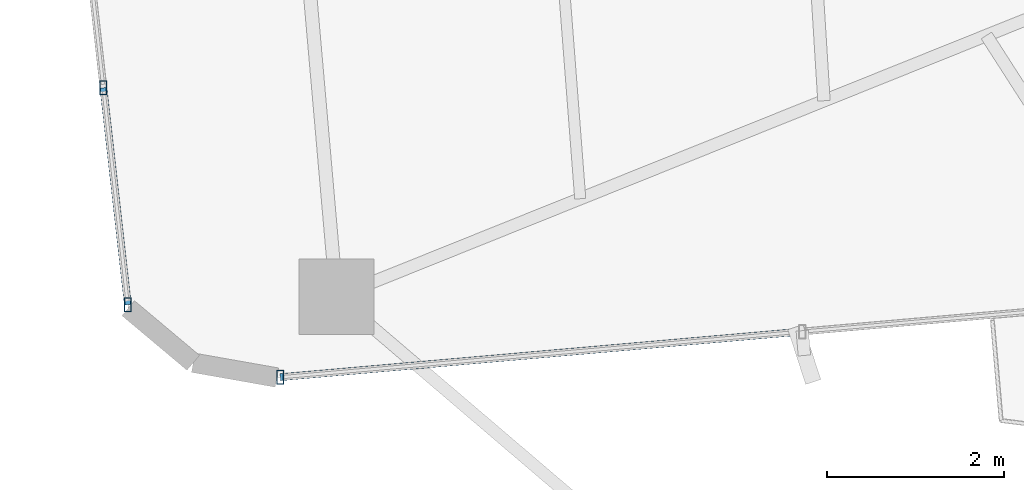
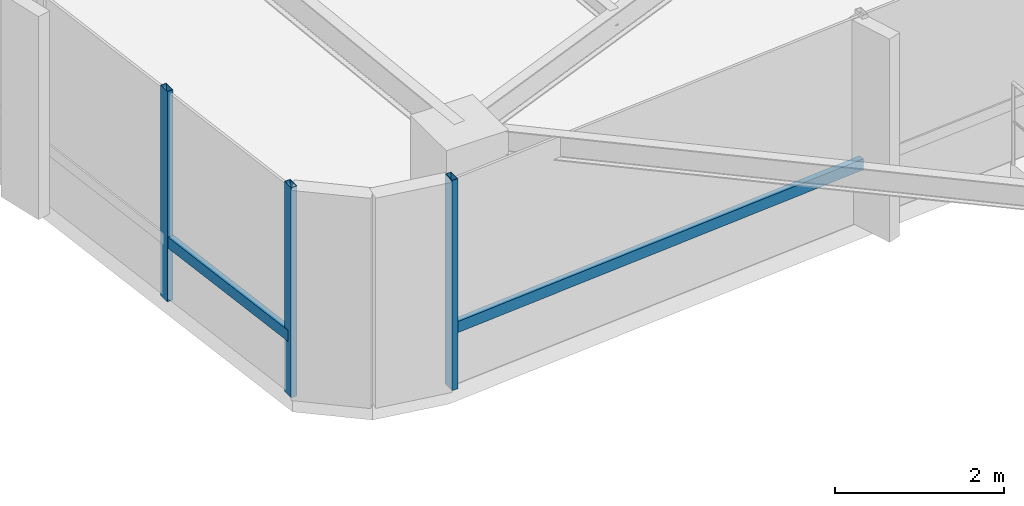
# One storey, part 3 of 24: 5 members, 2 elements without a shape of their own.
"""IFC4 building model written with IfcOpenShell, lengths in metres."""

import ifcopenshell
import ifcopenshell.guid

model = None  # the IFC model being written
_history = None  # IfcOwnerHistory: only IFC2X3 demands one
_inside = {}  # id of a spatial element -> (the spatial element, [elements in it])
_under = {}  # id of a project, library or spatial element -> (it, [spatial elements below it])
_declared = {}  # id of a project -> (the project, [libraries it declares])
_typed = {}  # id of a type object -> (the type object, [elements of that type])
_made_of = {}  # id of a material, layer set ... -> (it, [elements and type objects made of it])


def new_model(schema):
    """Start an empty IFC model of exactly this schema.

    Asked for "IFC4X3", IfcOpenShell would pick the latest addendum, in which some entities
    have other attributes; the version numbers below select the first issue.
    IFC2X3 requires an IfcOwnerHistory on every rooted entity: one is made here for all.
    """
    global model, _history
    if schema == "IFC4X3":
        model = ifcopenshell.file(schema_version=(4, 3, 0, 0))
    else:
        model = ifcopenshell.file(schema=schema)
    _inside.clear()
    _under.clear()
    _declared.clear()
    _typed.clear()
    _made_of.clear()
    _history = None
    if model.schema == "IFC2X3":
        org = make("IfcOrganization", Name="unknown")
        user = make(
            "IfcPersonAndOrganization",
            ThePerson=make("IfcPerson", FamilyName="unknown"),
            TheOrganization=org,
        )
        app = make(
            "IfcApplication",
            ApplicationDeveloper=org,
            Version="unknown",
            ApplicationFullName="unknown",
            ApplicationIdentifier="unknown",
        )
        _history = make(
            "IfcOwnerHistory",
            OwningUser=user,
            OwningApplication=app,
            ChangeAction="ADDED",
            CreationDate=0,
        )
    return model


def make(cls, **values):
    """One entity of the class cls with the attributes given. An attribute that is None is left unset."""
    return model.create_entity(
        cls, **{name: value for name, value in values.items() if value is not None}
    )


def rooted(cls, **values):
    """An entity with a GlobalId (a new one), such as an element, a storey or a relation."""
    return make(cls, GlobalId=ifcopenshell.guid.new(), OwnerHistory=_history, **values)


def si_unit(unit_type, name, prefix=None):
    """IfcSIUnit, for example si_unit("LENGTHUNIT", "METRE", prefix="MILLI")."""
    return make("IfcSIUnit", UnitType=unit_type, Prefix=prefix, Name=name)


def assignment(units):
    """IfcUnitAssignment: the units of a project."""
    return None if units is None else make("IfcUnitAssignment", Units=units)


def point(xyz):
    """IfcCartesianPoint."""
    return None if xyz is None else make("IfcCartesianPoint", Coordinates=xyz)


def direction(xyz):
    """IfcDirection."""
    return None if xyz is None else make("IfcDirection", DirectionRatios=xyz)


def frame(location, z_axis=None, x_axis=None):
    """IfcAxis2Placement3D, a coordinate frame: its origin and axes. An axis left out is left unset."""
    return make(
        "IfcAxis2Placement3D",
        Location=point(location),
        Axis=direction(z_axis),
        RefDirection=direction(x_axis),
    )


def frame_2d(location, x_axis=None):
    """IfcAxis2Placement2D, a coordinate frame in the plane: its origin and x axis."""
    return make(
        "IfcAxis2Placement2D", Location=point(location), RefDirection=direction(x_axis)
    )


def origin():
    """The frame at (0, 0, 0) with its axes left unset."""
    return frame((0.0, 0.0, 0.0))


def origin_2d():
    """The frame at (0, 0) in the plane with its x axis left unset."""
    return frame_2d((0.0, 0.0))


def place(relative_to, where):
    """IfcLocalPlacement: puts the frame where relative to a parent placement (None: the world)."""
    return make(
        "IfcLocalPlacement", PlacementRelTo=relative_to, RelativePlacement=where
    )


def context(
    kind, dimensions, precision=None, world=None, true_north=None, identifier=None
):
    """IfcGeometricRepresentationContext, for example the 3D "Model" context."""
    return make(
        "IfcGeometricRepresentationContext",
        ContextIdentifier=identifier,
        ContextType=kind,
        CoordinateSpaceDimension=dimensions,
        Precision=precision,
        WorldCoordinateSystem=world,
        TrueNorth=true_north,
    )


def subcontext(parent, identifier, kind, view, scale=None):
    """IfcGeometricRepresentationSubContext, for example "Body" below "Model"."""
    return make(
        "IfcGeometricRepresentationSubContext",
        ContextIdentifier=identifier,
        ContextType=kind,
        ParentContext=parent,
        TargetScale=scale,
        TargetView=view,
    )


def project(units=None, contexts=None):
    """IfcProject with its units and contexts."""
    return rooted(
        "IfcProject",
        Name="project",
        RepresentationContexts=contexts,
        UnitsInContext=assignment(units),
    )


def spatial(cls, under=None, at=None, **own):
    """A site, building, storey or space (cls), placed at a placement, below another one or the project."""
    s = rooted(cls, ObjectPlacement=at, **own)
    if under is not None:
        _under.setdefault(under.id(), (under, []))[1].append(s)
    return s


def profile(cls, at=None, kind="AREA", **sizes):
    """A parametric profile (cls). Its sizes go by their IFC names, for example OverallWidth=200.0."""
    return make(cls, ProfileType=kind, Position=at, **sizes)


def hollow_rectangle(**sizes):
    """IfcRectangleHollowProfileDef."""
    return profile("IfcRectangleHollowProfileDef", **sizes)


def extrude(swept, where, along, depth):
    """IfcExtrudedAreaSolid: the profile swept, set in the frame where, extruded along a direction by depth."""
    return make(
        "IfcExtrudedAreaSolid",
        SweptArea=swept,
        Position=where,
        ExtrudedDirection=direction(along),
        Depth=depth,
    )


def shape(context_of_items, identifier, shape_type, items):
    """IfcShapeRepresentation: the items that make up one representation, for example the "Body"."""
    return make(
        "IfcShapeRepresentation",
        ContextOfItems=context_of_items,
        RepresentationIdentifier=identifier,
        RepresentationType=shape_type,
        Items=items,
    )


def source(mapping_origin, context_of_items, identifier, shape_type, items):
    """IfcRepresentationMap: a shape defined once, which mapped items show again and again."""
    return make(
        "IfcRepresentationMap",
        MappingOrigin=mapping_origin,
        MappedRepresentation=shape(context_of_items, identifier, shape_type, items),
    )


def transform(
    local_origin,
    x_axis=None,
    y_axis=None,
    z_axis=None,
    scale=None,
    scale2=None,
    scale3=None,
    uniform=True,
):
    """IfcCartesianTransformationOperator3D, or its non-uniform kind. x_axis, y_axis, z_axis: its Axis1, 2, 3."""
    if uniform:
        return make(
            "IfcCartesianTransformationOperator3D",
            Axis1=direction(x_axis),
            Axis2=direction(y_axis),
            LocalOrigin=point(local_origin),
            Scale=scale,
            Axis3=direction(z_axis),
        )
    return make(
        "IfcCartesianTransformationOperator3DnonUniform",
        Axis1=direction(x_axis),
        Axis2=direction(y_axis),
        LocalOrigin=point(local_origin),
        Scale=scale,
        Axis3=direction(z_axis),
        Scale2=scale2,
        Scale3=scale3,
    )


def mapped(mapping_source, mapping_target):
    """IfcMappedItem: shows the shape of a source again, moved by a transform."""
    return make(
        "IfcMappedItem", MappingSource=mapping_source, MappingTarget=mapping_target
    )


def material(Name=None, Category=None):
    """IfcMaterial."""
    return make("IfcMaterial", Name=Name, Category=Category)


def material_profile(
    of_material, cross_section, Name=None, Category=None, Priority=None
):
    """IfcMaterialProfile: a cross section and its material."""
    return make(
        "IfcMaterialProfile",
        Name=Name,
        Material=of_material,
        Profile=cross_section,
        Priority=Priority,
        Category=Category,
    )


def profile_set(profiles, Name=None, composite=None):
    """IfcMaterialProfileSet."""
    return make(
        "IfcMaterialProfileSet",
        Name=Name,
        MaterialProfiles=profiles,
        CompositeProfile=composite,
    )


def made_of(thing, what):
    """Note that an element or type object is made of a material, layer set ...; save() writes the relation."""
    if what is not None:
        _made_of.setdefault(what.id(), (what, []))[1].append(thing)
    return thing


def type_object(cls, material=None, **own):
    """A type object (cls), such as IfcWallType, which elements share."""
    return made_of(rooted(cls, **own), material)


def element(
    cls,
    number,
    at=None,
    inside=None,
    cuts=None,
    type_object=None,
    material=None,
    context=None,
    identifier="Body",
    shape_type=None,
    held_by="IfcProductDefinitionShape",
    body=None,
    shapes=None,
    **own,
):
    """One element of the class cls, such as IfcWall. Its Tag is "e" and its number.

    at: its placement. inside: the storey or other place that contains it. cuts: it is an
    opening in that element (IfcRelVoidsElement). A single representation is given by context,
    identifier, shape_type and body (its items); several are given by shapes. held_by: the class
    of the entity that holds the representations. save() writes the other relations.
    """
    e = rooted(cls, Tag="e%d" % number, ObjectPlacement=at, **own)
    if body is not None:
        shapes = [shape(context, identifier, shape_type, body)]
    if shapes is not None:
        e.Representation = make(held_by, Representations=shapes)
    if inside is not None:
        _inside.setdefault(inside.id(), (inside, []))[1].append(e)
    if cuts is not None:
        rooted(
            "IfcRelVoidsElement", RelatingBuildingElement=cuts, RelatedOpeningElement=e
        )
    if type_object is not None:
        _typed.setdefault(type_object.id(), (type_object, []))[1].append(e)
    return made_of(e, material)


def aggregate(whole, parts):
    """IfcRelAggregates: a whole, such as a stair, and the parts it consists of."""
    return rooted("IfcRelAggregates", RelatingObject=whole, RelatedObjects=parts)


def save(model, path):
    """Write the relations noted so far, then the file.

    IfcRelAggregates (storeys below a building ...), IfcRelContainedInSpatialStructure (elements
    in a storey), IfcRelDefinesByType, IfcRelAssociatesMaterial and IfcRelDeclares: one each for
    every whole, place, type object, material and project.
    """
    for whole, parts in _under.values():
        aggregate(whole, parts)
    for where, things in _inside.values():
        rooted(
            "IfcRelContainedInSpatialStructure",
            RelatedElements=things,
            RelatingStructure=where,
        )
    for kind, things in _typed.values():
        rooted("IfcRelDefinesByType", RelatedObjects=things, RelatingType=kind)
    for what, things in _made_of.values():
        rooted("IfcRelAssociatesMaterial", RelatedObjects=things, RelatingMaterial=what)
    for by, libraries in _declared.values():
        rooted("IfcRelDeclares", RelatingContext=by, RelatedDefinitions=libraries)
    model.write(path)


model = new_model("IFC4")

# Units and contexts
model_context = context("Model", 3, precision=1e-05, world=origin(), true_north=direction((0.0, 1.0)))
body_context = subcontext(model_context, "Body", "Model", "MODEL_VIEW")
ifc_project = project(units=[si_unit("LENGTHUNIT", "METRE"), si_unit("AREAUNIT", "SQUARE_METRE"), si_unit("VOLUMEUNIT", "CUBIC_METRE"), si_unit("PLANEANGLEUNIT", "RADIAN"), si_unit("MASSUNIT", "GRAM", prefix="KILO")], contexts=[model_context])

# Site, building, storey
site_placement = place(None, origin())
site = spatial("IfcSite", under=ifc_project, at=site_placement, CompositionType="ELEMENT")
building_placement = place(site_placement, origin())
building = spatial("IfcBuilding", under=site, at=building_placement, Name="Sahyath Konkavel Grand Hotel", CompositionType="ELEMENT")
storey_placement = place(building_placement, frame((0.0, 0.0, 198.64990234375)))
storey = spatial("IfcBuildingStorey", under=building, at=storey_placement, Name="L55", CompositionType="ELEMENT", Elevation=198.64990234375)

# Curtain wall, members
ifc_material_1 = material(Name="Anodised Bronze Aluminium & Low-E Glazing", Category="aluminium")
curtain_wall_type = type_object("IfcCurtainWallType", Name="CW-ZONE3", PredefinedType="NOTDEFINED", material=ifc_material_1)
curtain_wall_1_placement = place(storey_placement, origin())
curtain_wall_1 = element("IfcCurtainWall", 1, at=curtain_wall_1_placement, inside=storey, type_object=curtain_wall_type, Name="L55 Unitised Curtain Wall F20", PredefinedType="NOTDEFINED")
ifc_material_2 = material(Name="Anodised Bronze Aluminium", Category="aluminium")
ifc_material_profile_1 = material_profile(ifc_material_2, hollow_rectangle(XDim=0.080078125, YDim=0.159912109375, WallThickness=0.006103515625, at=origin_2d()), Name="RHS 160x80x6")
ifc_profile_set_1 = profile_set([ifc_material_profile_1], Name="Anodised Bronze Aluminium")
member_type_1 = type_object("IfcMemberType", Name="CW-MUL-160", PredefinedType="MULLION", material=ifc_profile_set_1)
shared_shape_1 = source(origin(), body_context, "Body", "SweptSolid", [
    extrude(hollow_rectangle(XDim=0.080078125, YDim=0.159912109375, WallThickness=0.006103515625, at=origin_2d()), origin(), (0.0, 0.0, 1.0), 3.030029296875),
])
member_1_placement = place(storey_placement, frame((-19.583984375, -4.648193359375, 0.0), z_axis=(0.0, 0.0, 1.0), x_axis=(1.0, 0.0, 0.0)))
member_1 = element("IfcMember", 2, at=member_1_placement, type_object=member_type_1, Name="L55 Curtain Wall Mullion F20-3", PredefinedType="MULLION", context=body_context, shape_type="MappedRepresentation", body=[
    mapped(shared_shape_1, transform((0.0, 0.0, 0.0), scale=1.0)),
])
member_2_placement = place(storey_placement, frame((-19.308349609375, -7.094970703125, 0.0), z_axis=(0.0, 0.0, 1.0), x_axis=(1.0, 0.0, 0.0)))
member_2 = element("IfcMember", 3, at=member_2_placement, type_object=member_type_1, Name="L55 Curtain Wall Mullion F20-4", PredefinedType="MULLION", context=body_context, shape_type="MappedRepresentation", body=[
    mapped(shared_shape_1, transform((0.0, 0.0, 0.0), scale=1.0)),
])

# Curtain wall, member
curtain_wall_2_placement = place(storey_placement, origin())
curtain_wall_2 = element("IfcCurtainWall", 4, at=curtain_wall_2_placement, inside=storey, type_object=curtain_wall_type, Name="L55 Unitised Curtain Wall F23", PredefinedType="NOTDEFINED")
member_3_placement = place(storey_placement, frame((-17.58740234375, -7.912841796875, 0.0), z_axis=(0.0, 0.0, 1.0), x_axis=(1.0, 0.0, 0.0)))
member_3 = element("IfcMember", 5, at=member_3_placement, type_object=member_type_1, Name="L55 Curtain Wall Mullion F23-0", PredefinedType="MULLION", context=body_context, shape_type="MappedRepresentation", body=[
    mapped(shared_shape_1, transform((0.0, 0.0, 0.0), scale=1.0)),
])

# Member
ifc_material_profile_2 = material_profile(ifc_material_2, hollow_rectangle(XDim=0.080078125, YDim=0.159912109375, WallThickness=0.006103515625, at=origin_2d()), Name="RHS 160x80x6")
ifc_profile_set_2 = profile_set([ifc_material_profile_2], Name="Anodised Bronze Aluminium")
member_type_2 = type_object("IfcMemberType", Name="CW-TRN-160", PredefinedType="USERDEFINED", material=ifc_profile_set_2)
shared_shape_2 = source(origin(), body_context, "Body", "SweptSolid", [
    extrude(hollow_rectangle(XDim=0.080078125, YDim=0.159912109375, WallThickness=0.006103515625, at=origin_2d()), origin(), (0.0, 0.0, 1.0), 2.462158203125),
])
member_4_placement = place(storey_placement, frame((-19.583984375, -4.648193359375, 0.85009765625), z_axis=(0.11194409079, -0.993714506555, 0.0), x_axis=(0.993714506555, 0.11194409079, 0.0)))
member_4 = element("IfcMember", 6, at=member_4_placement, type_object=member_type_2, Name="L55 Curtain Wall Transom F20-3-spandrel", ObjectType="TRANSOM", PredefinedType="USERDEFINED", context=body_context, shape_type="MappedRepresentation", body=[
    mapped(shared_shape_2, transform((0.0, 0.0, 0.0), scale=1.0)),
])

aggregate(curtain_wall_1, [member_1, member_2, member_4])

shared_shape_3 = source(origin(), body_context, "Body", "SweptSolid", [
    extrude(hollow_rectangle(XDim=0.080078125, YDim=0.159912109375, WallThickness=0.006103515625, at=origin_2d()), origin(), (0.0, 0.0, 1.0), 5.91015625),
])
member_5_placement = place(storey_placement, frame((-17.58740234375, -7.912841796875, 0.85009765625), z_axis=(0.996197841474, 0.087119806256, 0.0), x_axis=(-0.087119806256, 0.996197841474, 0.0)))
member_5 = element("IfcMember", 7, at=member_5_placement, type_object=member_type_2, Name="L55 Curtain Wall Transom F23-0-spandrel", ObjectType="TRANSOM", PredefinedType="USERDEFINED", context=body_context, shape_type="MappedRepresentation", body=[
    mapped(shared_shape_3, transform((0.0, 0.0, 0.0), scale=1.0)),
])

aggregate(curtain_wall_2, [member_3, member_5])

save(model, "model.ifc")
